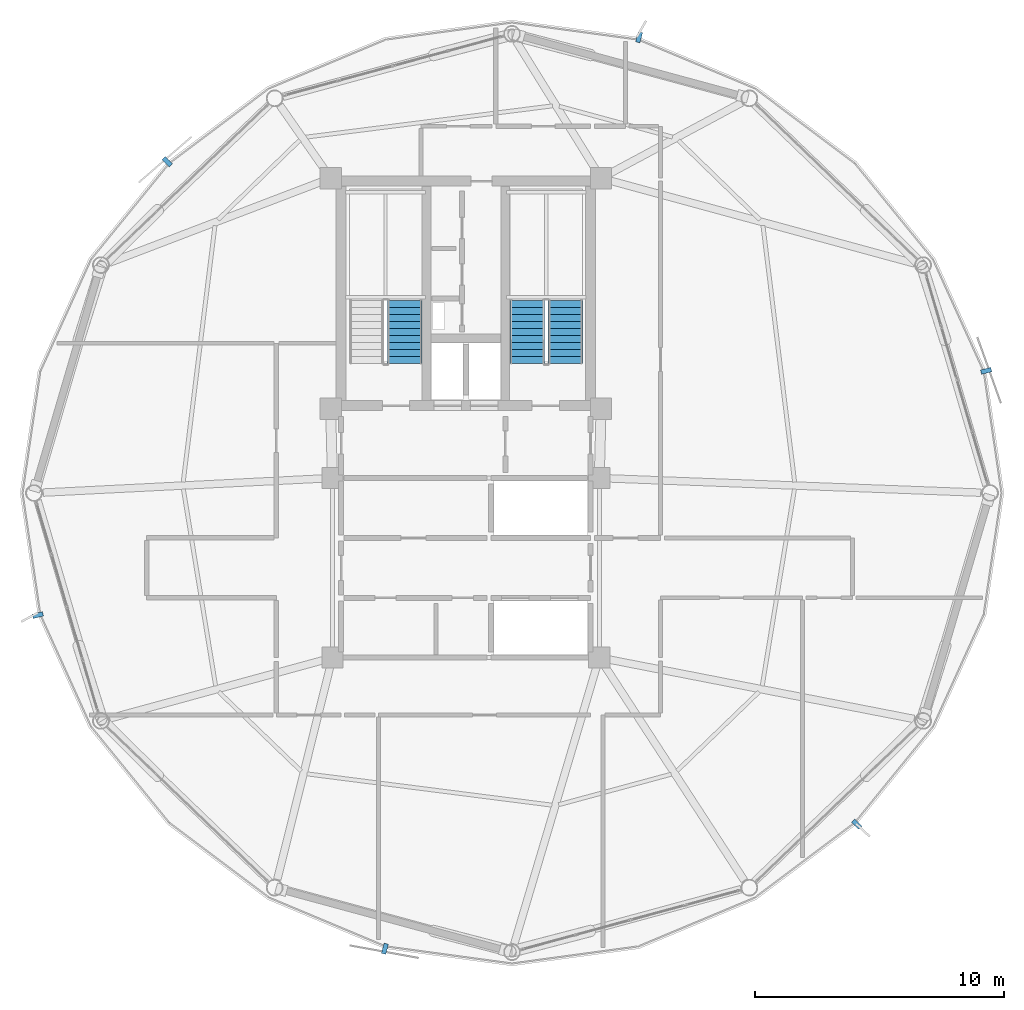
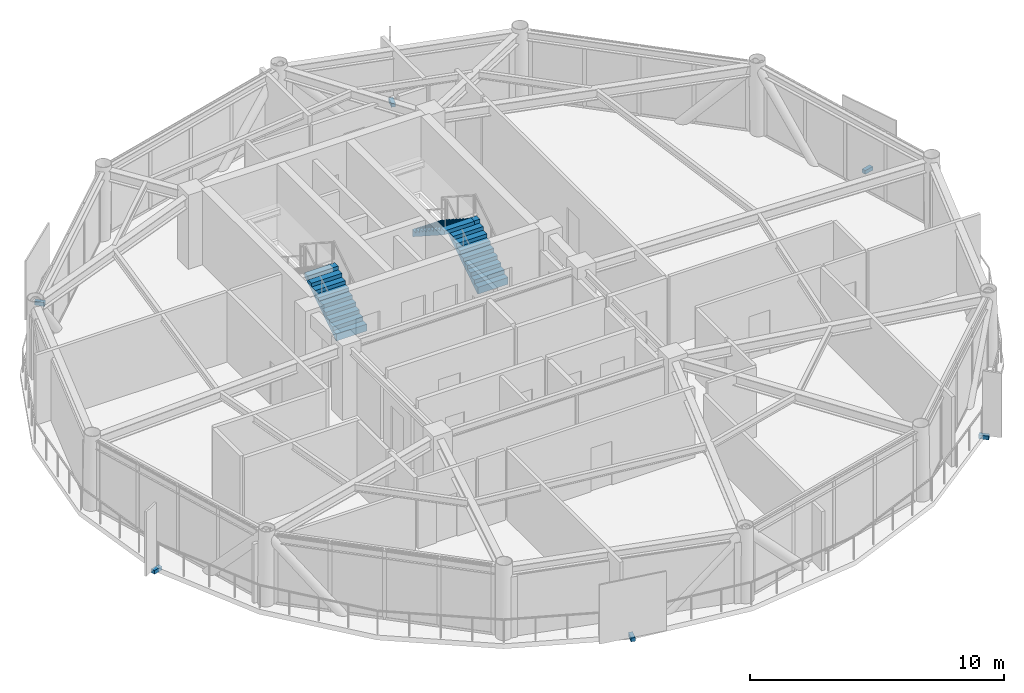
# One storey, part 25 of 28: 6 discrete accessories, 3 stair flights, 2 elements without a shape of their own.
"""IFC4 building model written with IfcOpenShell, lengths in metres."""

from ifc_helpers import new_model, si_unit, direction, frame, origin, origin_2d, place, context, subcontext, project, spatial, polyline, rectangle, outline, extrude, source, transform, mapped, material, type_object, type_shapes, element, aggregate, save


model = new_model("IFC4")

# Units and contexts
model_context = context("Model", 3, precision=1e-05, world=origin(), true_north=direction((0.0, 1.0)))
body_context = subcontext(model_context, "Body", "Model", "MODEL_VIEW")
ifc_project = project(units=[si_unit("LENGTHUNIT", "METRE"), si_unit("AREAUNIT", "SQUARE_METRE"), si_unit("VOLUMEUNIT", "CUBIC_METRE"), si_unit("PLANEANGLEUNIT", "RADIAN"), si_unit("MASSUNIT", "GRAM", prefix="KILO")], contexts=[model_context])

# Site, building, storey
site_placement = place(None, origin())
site = spatial("IfcSite", under=ifc_project, at=site_placement, CompositionType="ELEMENT")
building_placement = place(site_placement, origin())
building = spatial("IfcBuilding", under=site, at=building_placement, Name="Varnakorn Sky Granary", CompositionType="ELEMENT")
storey_placement = place(building_placement, frame((0.0, 0.0, 211.199951171875)))
storey = spatial("IfcBuildingStorey", under=building, at=storey_placement, Name="L53", CompositionType="ELEMENT", Elevation=211.199951171875)

# Stair, stair flight
ifc_material_1 = material(Name="Concrete C40/50", Category="concrete")
stair_type = type_object("IfcStairType", Name="ST-MAIN-ASSEMBLY", PredefinedType="HALF_TURN_STAIR", material=ifc_material_1)
stair_1_placement = place(storey_placement, origin())
stair_1 = element("IfcStair", 1, at=stair_1_placement, inside=storey, type_object=stair_type, Name="L53 Protected Exit Stair ST-1", PredefinedType="HALF_TURN_STAIR")
stair_flight_type = type_object("IfcStairFlightType", Name="ST-MAIN-FLIGHT", PredefinedType="STRAIGHT", material=ifc_material_1)
stair_flight_1_placement = place(storey_placement, frame((0.550048828125, 5.199951171875, 0.0), z_axis=(0.0, 0.0, 1.0), x_axis=(0.0, 1.0, 0.0)))
stair_flight_1 = element("IfcStairFlight", 2, at=stair_flight_1_placement, type_object=stair_flight_type, Name="ST-1 flight 1", NumberOfRisers=10, NumberOfTreads=9, PredefinedType="STRAIGHT", RiserHeight=0.18, TreadLength=0.28, context=body_context, shape_type="SweptSolid", body=[
    extrude(outline(polyline([(0.0, -0.14990234375), (0.0, 0.0), (0.0, 0.179931640625), (0.280029296875, 0.179931640625), (0.280029296875, 0.360107421875), (0.56005859375, 0.360107421875), (0.56005859375, 0.5400390625), (0.840087890625, 0.5400390625), (0.840087890625, 0.719970703125), (1.1201171875, 0.719970703125), (1.1201171875, 0.89990234375), (1.39990234375, 0.89990234375), (1.39990234375, 1.080078125), (1.679931640625, 1.080078125), (1.679931640625, 1.260009765625), (1.9599609375, 1.260009765625), (1.9599609375, 1.43994140625), (2.239990234375, 1.43994140625), (2.239990234375, 1.6201171875), (2.52001953125, 1.6201171875), (2.52001953125, 1.800048828125), (2.52001953125, 1.44189453125), (0.050048828125, -0.14990234375), (0.0, -0.14990234375)])), frame((0.0, 0.68994140625, 0.0), z_axis=(0.0, -1.0, 0.0), x_axis=(1.0, 0.0, 0.0)), (0.0, 0.0, 1.0), 1.3798828125),
])
aggregate(stair_1, [stair_flight_1])

# Stair, stair flights
stair_2_placement = place(storey_placement, origin())
stair_2 = element("IfcStair", 3, at=stair_2_placement, inside=storey, type_object=stair_type, Name="L53 Protected Exit Stair ST-2", PredefinedType="HALF_TURN_STAIR")
stair_flight_2_placement = place(storey_placement, frame((6.989990234375, 5.199951171875, 0.0), z_axis=(0.0, 0.0, 1.0), x_axis=(0.0, 1.0, 0.0)))
stair_flight_2 = element("IfcStairFlight", 4, at=stair_flight_2_placement, type_object=stair_flight_type, Name="ST-2 flight 1", NumberOfRisers=10, NumberOfTreads=9, PredefinedType="STRAIGHT", RiserHeight=0.18, TreadLength=0.28, context=body_context, shape_type="SweptSolid", body=[
    extrude(outline(polyline([(0.0, -0.14990234375), (0.0, 0.0), (0.0, 0.179931640625), (0.280029296875, 0.179931640625), (0.280029296875, 0.360107421875), (0.56005859375, 0.360107421875), (0.56005859375, 0.5400390625), (0.840087890625, 0.5400390625), (0.840087890625, 0.719970703125), (1.1201171875, 0.719970703125), (1.1201171875, 0.89990234375), (1.39990234375, 0.89990234375), (1.39990234375, 1.080078125), (1.679931640625, 1.080078125), (1.679931640625, 1.260009765625), (1.9599609375, 1.260009765625), (1.9599609375, 1.43994140625), (2.239990234375, 1.43994140625), (2.239990234375, 1.6201171875), (2.52001953125, 1.6201171875), (2.52001953125, 1.800048828125), (2.52001953125, 1.44189453125), (0.050048828125, -0.14990234375), (0.0, -0.14990234375)])), frame((0.0, 0.68994140625, 0.0), z_axis=(0.0, -1.0, 0.0), x_axis=(1.0, 0.0, 0.0)), (0.0, 0.0, 1.0), 1.3798828125),
])
stair_flight_3_placement = place(storey_placement, frame((5.4599609375, 7.719970703125, 1.800048828125), z_axis=(0.0, 0.0, 1.0), x_axis=(0.0, -1.0, 0.0)))
stair_flight_3 = element("IfcStairFlight", 5, at=stair_flight_3_placement, type_object=stair_flight_type, Name="ST-2 flight 2", NumberOfRisers=10, NumberOfTreads=9, PredefinedType="STRAIGHT", RiserHeight=0.18, TreadLength=0.28, context=body_context, shape_type="SweptSolid", body=[
    extrude(outline(polyline([(0.0, -0.14990234375), (0.0, 0.0), (0.0, 0.179931640625), (0.280029296875, 0.179931640625), (0.280029296875, 0.360107421875), (0.56005859375, 0.360107421875), (0.56005859375, 0.5400390625), (0.840087890625, 0.5400390625), (0.840087890625, 0.719970703125), (1.1201171875, 0.719970703125), (1.1201171875, 0.89990234375), (1.39990234375, 0.89990234375), (1.39990234375, 1.080078125), (1.679931640625, 1.080078125), (1.679931640625, 1.260009765625), (1.9599609375, 1.260009765625), (1.9599609375, 1.43994140625), (2.239990234375, 1.43994140625), (2.239990234375, 1.6201171875), (2.52001953125, 1.6201171875), (2.52001953125, 1.800048828125), (2.52001953125, 1.44189453125), (0.050048828125, -0.14990234375), (0.0, -0.14990234375)])), frame((0.0, 0.68994140625, 0.0), z_axis=(0.0, -1.0, 0.0), x_axis=(1.0, 0.0, 0.0)), (0.0, 0.0, 1.0), 1.3798828125),
])
aggregate(stair_2, [stair_flight_2, stair_flight_3])

# Discrete accessories
ifc_material_2 = material(Name="Steel S355JR", Category="steel")
discrete_accessory_type = type_object("IfcDiscreteAccessoryType", Name="AC-BRK-01", PredefinedType="BRACKET", material=ifc_material_2)
shared_shape = source(origin(), body_context, "Body", "SweptSolid", [
    extrude(rectangle(XDim=0.179931640625, YDim=0.419921875, at=origin_2d()), origin(), (0.0, 0.0, 1.0), 0.179931640625),
])
type_shapes(discrete_accessory_type, [shared_shape])
for number, where, z_axis, x_axis, name in (
    (6, (23.85791015625, 4.894775390625, -0.19970703125), (0.0, 0.0, 1.0), (-0.24937567526, 0.968406821841, 0.0), "Facade Solar-Screen Outrigger Bracket L53-01"),
    (7, (9.944091796875, 18.27099609375, -0.19970703125), (0.0, 0.0, 1.0), (-0.96326016507, 0.268570017667, 0.0), "Facade Solar-Screen Outrigger Bracket L53-03"),
    (8, (-8.970703125, 13.2783203125, -0.19970703125), (0.0, 0.0, 1.0), (-0.692820419598, -0.721110162311, 0.0), "Facade Solar-Screen Outrigger Bracket L53-05"),
    (9, (-14.15771484375, -4.894775390625, -0.19970703125), (0.0, 0.0, 1.0), (0.24937567526, -0.968406821841, 0.0), "Facade Solar-Screen Outrigger Bracket L53-07"),
    (10, (-0.244140625, -18.27099609375, -0.19970703125), (0.0, 0.0, 1.0), (0.96326016507, -0.268570017667, 0.0), "Facade Solar-Screen Outrigger Bracket L53-09"),
    (11, (18.670654296875, -13.2783203125, -0.19970703125), (0.0, 0.0, 1.0), (0.692820419598, 0.721110162311, 0.0), "Facade Solar-Screen Outrigger Bracket L53-11"),
):
    element("IfcDiscreteAccessory", number, at=place(storey_placement, frame(where, z_axis=z_axis, x_axis=x_axis)), inside=storey, type_object=discrete_accessory_type, Name=name, PredefinedType="BRACKET", context=body_context, shape_type="MappedRepresentation", body=[
        mapped(shared_shape, transform((0.0, 0.0, 0.0), x_axis=(1.0, 0.0, 0.0), y_axis=(0.0, 1.0, 0.0), z_axis=(0.0, 0.0, 1.0), scale=1.0)),
    ])

save(model, "model.ifc")
